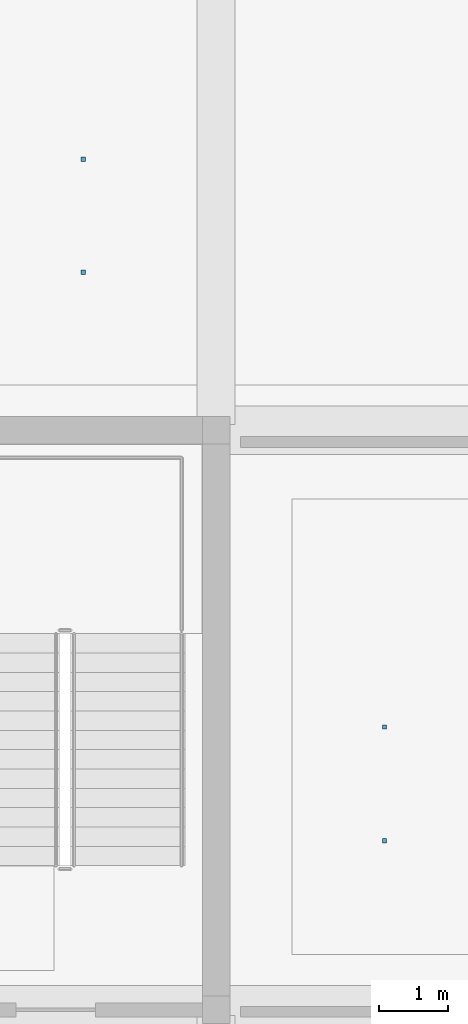
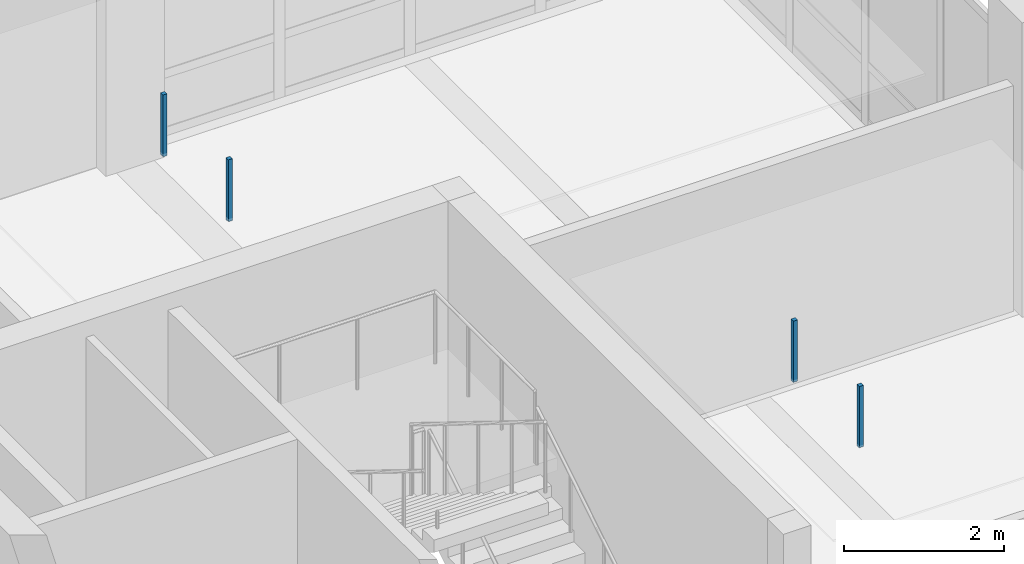
# One storey, part 23 of 39: 4 discrete accessories.
"""IFC4 building model written with IfcOpenShell, lengths in metres."""

from ifc_helpers import new_model, si_unit, direction, frame, origin, origin_2d, place, context, subcontext, project, spatial, rectangle, extrude, material, type_object, element, save


model = new_model("IFC4")

# Units and contexts
model_context = context("Model", 3, precision=1e-05, world=origin(), true_north=direction((0.0, 1.0)))
body_context = subcontext(model_context, "Body", "Model", "MODEL_VIEW")
ifc_project = project(units=[si_unit("LENGTHUNIT", "METRE"), si_unit("AREAUNIT", "SQUARE_METRE"), si_unit("VOLUMEUNIT", "CUBIC_METRE"), si_unit("PLANEANGLEUNIT", "RADIAN"), si_unit("MASSUNIT", "GRAM", prefix="KILO")], contexts=[model_context])

# Site, building, storey
site_placement = place(None, origin())
site = spatial("IfcSite", under=ifc_project, at=site_placement, CompositionType="ELEMENT")
building_placement = place(site_placement, origin())
building = spatial("IfcBuilding", under=site, at=building_placement, Name="Telukmera Botanical Conservatory", CompositionType="ELEMENT")
storey_placement = place(building_placement, frame((0.0, 0.0, 19.5)))
storey = spatial("IfcBuildingStorey", under=building, at=storey_placement, Name="L04", CompositionType="ELEMENT", Elevation=19.5)

# Discrete accessories
ifc_material = material(Name="Steel S355", Category="steel")
discrete_accessory_type = type_object("IfcDiscreteAccessoryType", Name="ACC-CEIL-HGR", PredefinedType="BRACKET", material=ifc_material)
for number, where, z_axis, x_axis, name in (
    (1, (103.241943359375, 28.449951171875, 3.320068359375), (0.0, 0.0, 1.0), (1.0, 0.0, 0.0), "L04 Suspended Ceiling Hanger Rod 019-1"),
    (2, (103.241943359375, 30.10009765625, 3.320068359375), (0.0, 0.0, 1.0), (1.0, 0.0, 0.0), "L04 Suspended Ceiling Hanger Rod 019-2"),
):
    element("IfcDiscreteAccessory", number, at=place(storey_placement, frame(where, z_axis=z_axis, x_axis=x_axis)), inside=storey, type_object=discrete_accessory_type, Name=name, PredefinedType="BRACKET", context=body_context, shape_type="SweptSolid", body=[
        extrude(rectangle(XDim=0.06005859375, YDim=0.06005859375, at=origin_2d()), origin(), (0.0, 0.0, 1.0), 0.93505859375),
    ])
for number, where, z_axis, x_axis, name in (
    (3, (98.8740234375, 36.6875, 3.31005859375), (0.0, 0.0, 1.0), (1.0, 0.0, 0.0), "L04 Suspended Ceiling Hanger Rod 038-1"),
    (4, (98.8740234375, 38.324951171875, 3.31005859375), (0.0, 0.0, 1.0), (1.0, 0.0, 0.0), "L04 Suspended Ceiling Hanger Rod 038-2"),
):
    element("IfcDiscreteAccessory", number, at=place(storey_placement, frame(where, z_axis=z_axis, x_axis=x_axis)), inside=storey, type_object=discrete_accessory_type, Name=name, PredefinedType="BRACKET", context=body_context, shape_type="SweptSolid", body=[
        extrude(rectangle(XDim=0.06005859375, YDim=0.06005859375, at=origin_2d()), origin(), (0.0, 0.0, 1.0), 0.945068359375),
    ])

save(model, "model.ifc")
